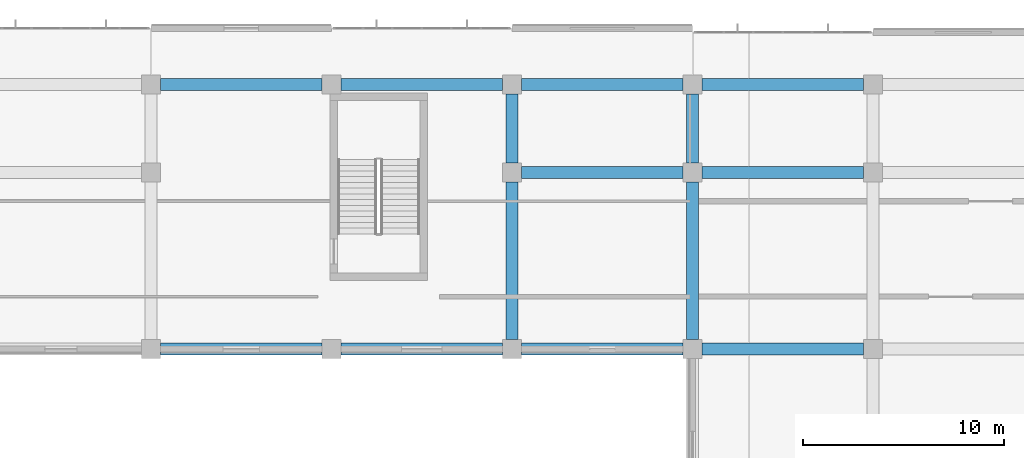
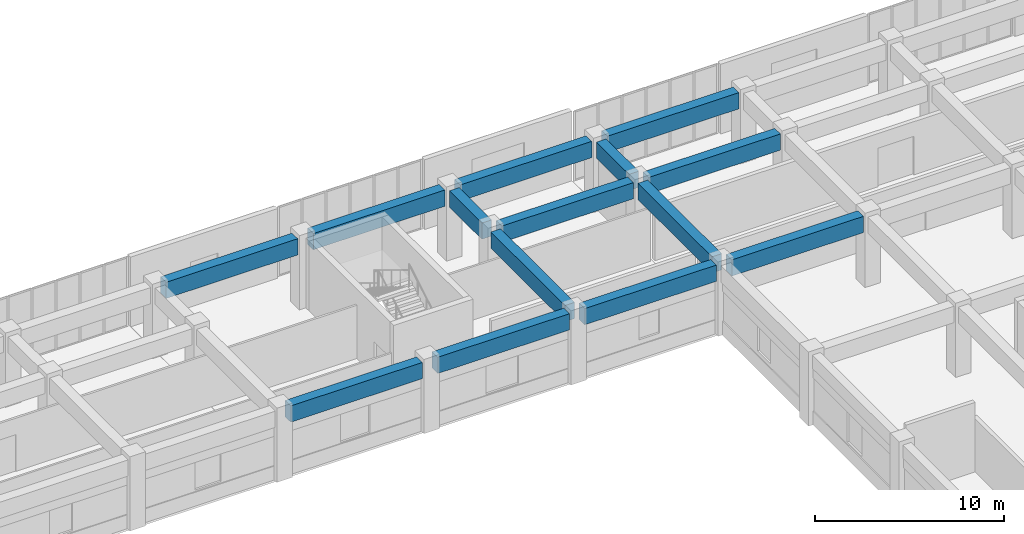
# One storey, part 32 of 86: 14 beams.
"""IFC4 building model written with IfcOpenShell, lengths in metres."""

from ifc_helpers import new_model, si_unit, direction, frame, origin, origin_2d, place, context, subcontext, project, spatial, rectangle, extrude, material, material_profile, profile_set, type_object, element, save


model = new_model("IFC4")

# Units and contexts
model_context = context("Model", 3, precision=1e-05, world=origin(), true_north=direction((0.0, 1.0)))
body_context = subcontext(model_context, "Body", "Model", "MODEL_VIEW")
ifc_project = project(units=[si_unit("LENGTHUNIT", "METRE"), si_unit("AREAUNIT", "SQUARE_METRE"), si_unit("VOLUMEUNIT", "CUBIC_METRE"), si_unit("PLANEANGLEUNIT", "RADIAN"), si_unit("MASSUNIT", "GRAM", prefix="KILO")], contexts=[model_context])

# Site, building, storey
site_placement = place(None, origin())
site = spatial("IfcSite", under=ifc_project, at=site_placement, CompositionType="ELEMENT")
building_placement = place(site_placement, origin())
building = spatial("IfcBuilding", under=site, at=building_placement, Name="Cendralis Terraced Arcade", CompositionType="ELEMENT")
storey_placement = place(building_placement, frame((0.0, 0.0, 5.39990234375)))
storey = spatial("IfcBuildingStorey", under=building, at=storey_placement, Name="L01", CompositionType="ELEMENT", Elevation=5.39990234375)

# Beams
ifc_material = material(Name="Concrete f'c 35 MPa", Category="concrete")
ifc_material_profile = material_profile(ifc_material, rectangle(XDim=0.60009765625, YDim=1.050048828125, at=origin_2d()), Name="RC-BM-600x1050", Category="LoadBearing")
ifc_profile_set = profile_set([ifc_material_profile], Name="Concrete f'c 35 MPa")
beam_type = type_object("IfcBeamType", Name="BM-600x1050", PredefinedType="JOIST", material=ifc_profile_set)
for number, where, z_axis, x_axis, name in (
    (1, (94.675048828125, 98.39990234375, 3.97998046875), (1.0, 0.0, 0.0), (0.0, 1.0, 0.0), "Reinforced Concrete Frame Beam BM-X-L02-L-11_12"),
    (2, (103.675048828125, 98.39990234375, 3.97998046875), (1.0, 0.0, 0.0), (0.0, 1.0, 0.0), "Reinforced Concrete Frame Beam BM-X-L02-L-12_13"),
    (3, (112.675048828125, 98.39990234375, 3.97998046875), (1.0, 0.0, 0.0), (0.0, 1.0, 0.0), "Reinforced Concrete Frame Beam BM-X-L02-L-13_14"),
    (4, (121.675048828125, 98.39990234375, 3.97998046875), (1.0, 0.0, 0.0), (0.0, 1.0, 0.0), "Reinforced Concrete Frame Beam BM-X-L02-L-14_15"),
    (5, (112.675048828125, 107.199951171875, 3.97998046875), (1.0, 0.0, 0.0), (0.0, 1.0, 0.0), "Reinforced Concrete Frame Beam BM-X-L02-M-13_14"),
    (6, (121.675048828125, 107.199951171875, 3.97998046875), (1.0, 0.0, 0.0), (0.0, 1.0, 0.0), "Reinforced Concrete Frame Beam BM-X-L02-M-14_15"),
    (7, (94.675048828125, 111.60009765625, 3.97998046875), (1.0, 0.0, 0.0), (0.0, 1.0, 0.0), "Reinforced Concrete Frame Beam BM-X-L02-N-11_12"),
    (8, (103.675048828125, 111.60009765625, 3.97998046875), (1.0, 0.0, 0.0), (0.0, 1.0, 0.0), "Reinforced Concrete Frame Beam BM-X-L02-N-12_13"),
    (9, (112.675048828125, 111.60009765625, 3.97998046875), (1.0, 0.0, 0.0), (0.0, 1.0, 0.0), "Reinforced Concrete Frame Beam BM-X-L02-N-13_14"),
    (10, (121.675048828125, 111.60009765625, 3.97998046875), (1.0, 0.0, 0.0), (0.0, 1.0, 0.0), "Reinforced Concrete Frame Beam BM-X-L02-N-14_15"),
):
    element("IfcBeam", number, at=place(storey_placement, frame(where, z_axis=z_axis, x_axis=x_axis)), inside=storey, type_object=beam_type, Name=name, PredefinedType="JOIST", context=body_context, shape_type="SweptSolid", body=[
        extrude(rectangle(XDim=0.60009765625, YDim=1.050048828125, at=origin_2d()), origin(), (0.0, 0.0, 1.0), 8.050048828125),
    ])
beam_1_placement = place(storey_placement, frame((112.199951171875, 98.875, 3.97998046875), z_axis=(0.0, 1.0, 0.0), x_axis=(-1.0, 0.0, 0.0)))
element("IfcBeam", 11, at=beam_1_placement, inside=storey, type_object=beam_type, Name="Reinforced Concrete Frame Beam BM-Y-L02-13-L_M", PredefinedType="JOIST", context=body_context, shape_type="SweptSolid", body=[
    extrude(rectangle(XDim=0.60009765625, YDim=1.050048828125, at=origin_2d()), origin(), (0.0, 0.0, 1.0), 7.85009765625),
])
beam_2_placement = place(storey_placement, frame((112.199951171875, 107.675048828125, 3.97998046875), z_axis=(0.0, 1.0, 0.0), x_axis=(-1.0, 0.0, 0.0)))
element("IfcBeam", 12, at=beam_2_placement, inside=storey, type_object=beam_type, Name="Reinforced Concrete Frame Beam BM-Y-L02-13-M_N", PredefinedType="JOIST", context=body_context, shape_type="SweptSolid", body=[
    extrude(rectangle(XDim=0.60009765625, YDim=1.050048828125, at=origin_2d()), origin(), (0.0, 0.0, 1.0), 3.449951171875),
])
beam_3_placement = place(storey_placement, frame((121.199951171875, 98.875, 3.97998046875), z_axis=(0.0, 1.0, 0.0), x_axis=(-1.0, 0.0, 0.0)))
element("IfcBeam", 13, at=beam_3_placement, inside=storey, type_object=beam_type, Name="Reinforced Concrete Frame Beam BM-Y-L02-14-L_M", PredefinedType="JOIST", context=body_context, shape_type="SweptSolid", body=[
    extrude(rectangle(XDim=0.60009765625, YDim=1.050048828125, at=origin_2d()), origin(), (0.0, 0.0, 1.0), 7.85009765625),
])
beam_4_placement = place(storey_placement, frame((121.199951171875, 107.675048828125, 3.97998046875), z_axis=(0.0, 1.0, 0.0), x_axis=(-1.0, 0.0, 0.0)))
element("IfcBeam", 14, at=beam_4_placement, inside=storey, type_object=beam_type, Name="Reinforced Concrete Frame Beam BM-Y-L02-14-M_N", PredefinedType="JOIST", context=body_context, shape_type="SweptSolid", body=[
    extrude(rectangle(XDim=0.60009765625, YDim=1.050048828125, at=origin_2d()), origin(), (0.0, 0.0, 1.0), 3.449951171875),
])

save(model, "model.ifc")
